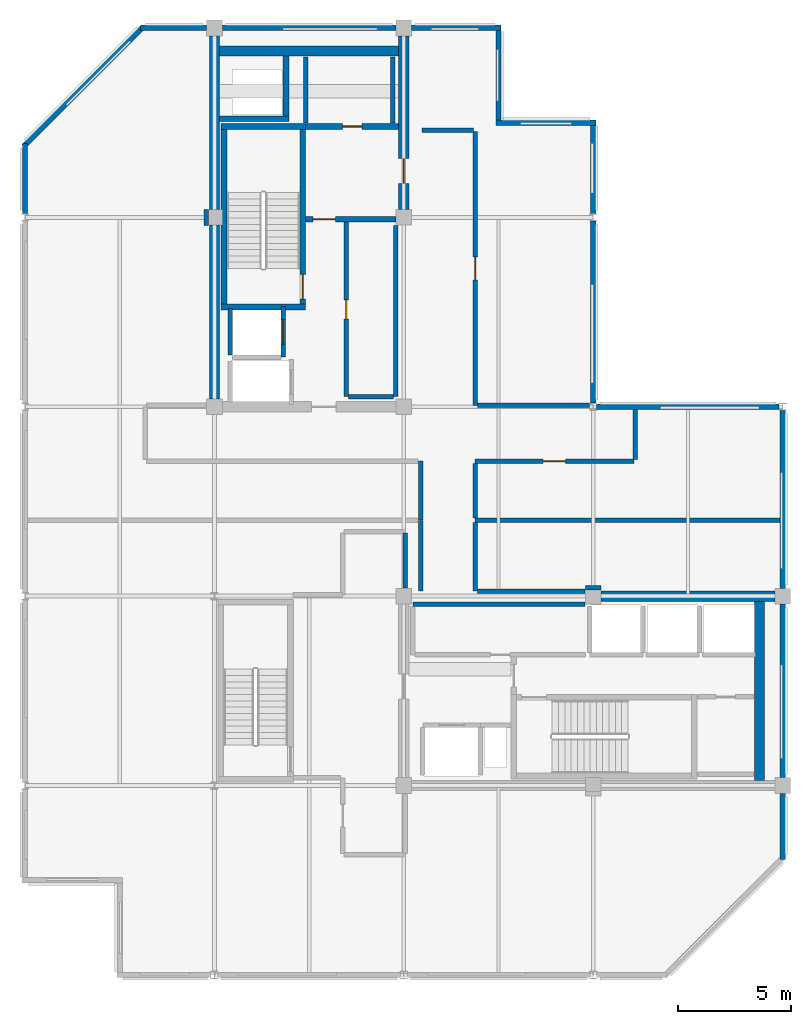
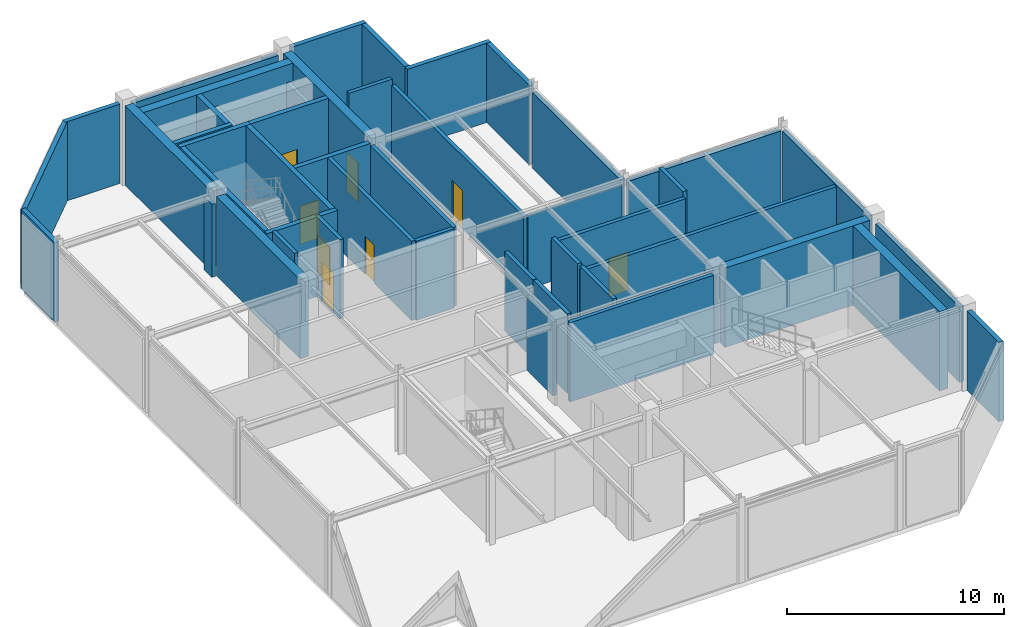
# One storey, part 5 of 9: 49 walls, 8 doors, 8 openings.
"""IFC4 building model written with IfcOpenShell, lengths in metres."""

from ifc_helpers import new_model, si_unit, direction, frame, frame_2d, origin, place, context, subcontext, project, spatial, rectangle, extrude, material, layer, layer_set, type_object, element, fill, save


model = new_model("IFC4")

# Units and contexts
model_context = context("Model", 3, precision=1e-05, world=origin(), true_north=direction((0.0, 1.0)))
body_context = subcontext(model_context, "Body", "Model", "MODEL_VIEW")
ifc_project = project(units=[si_unit("LENGTHUNIT", "METRE"), si_unit("AREAUNIT", "SQUARE_METRE"), si_unit("VOLUMEUNIT", "CUBIC_METRE"), si_unit("PLANEANGLEUNIT", "RADIAN"), si_unit("MASSUNIT", "GRAM", prefix="KILO")], contexts=[model_context])

# Site, building, storey
site_placement = place(None, origin())
site = spatial("IfcSite", under=ifc_project, at=site_placement, CompositionType="ELEMENT")
building_placement = place(site_placement, origin())
building = spatial("IfcBuilding", under=site, at=building_placement, Name="Nerrivon Quay Data Exchange", CompositionType="ELEMENT")
storey_placement = place(building_placement, frame((0.0, 0.0, 322.199951171875)))
storey = spatial("IfcBuildingStorey", under=building, at=storey_placement, Name="L77", CompositionType="ELEMENT", Elevation=322.199951171875)

# Walls
ifc_material_1 = material(Name="Architectural terracotta precast concrete N50 (50 MPa)", Category="masonry")
ifc_layer_1 = layer(ifc_material_1, 0.239990234375)
ifc_layer_set_1 = layer_set([ifc_layer_1], Name="Architectural terracotta precast concrete N50 (50 MPa)")
wall_type_1 = type_object("IfcWallType", Name="EW-PREC-240", PredefinedType="STANDARD", material=ifc_layer_set_1)
wall_1_placement = place(storey_placement, frame((0.0, 33.757568359375, 0.0), z_axis=(0.0, 0.0, 1.0), x_axis=(0.0, 1.0, 0.0)))
element("IfcWall", 1, at=wall_1_placement, inside=storey, type_object=wall_type_1, Name="L77 Plant Enclosure Wall 12", PredefinedType="STANDARD", context=body_context, shape_type="SweptSolid", body=[
    extrude(rectangle(XDim=3.1171875, YDim=0.239990234375, at=frame_2d((1.55859375, 0.0))), origin(), (0.0, 0.0, 1.0), 4.449951171875),
])
wall_2_placement = place(storey_placement, frame((-0.052734375, 36.747314453125, 0.0), z_axis=(0.0, 0.0, 1.0), x_axis=(0.707106781187, 0.707106781187, 0.0)))
element("IfcWall", 2, at=wall_2_placement, inside=storey, type_object=wall_type_1, Name="L77 Plant Enclosure Wall 13", PredefinedType="STANDARD", context=body_context, shape_type="SweptSolid", body=[
    extrude(rectangle(XDim=7.5029296875, YDim=0.239990234375, at=frame_2d((3.75146484375, 0.0))), origin(), (0.0, 0.0, 1.0), 4.449951171875),
])
wall_3_placement = place(storey_placement, frame((5.125244140625, 42.0, 0.0), z_axis=(0.0, 0.0, 1.0), x_axis=(1.0, 0.0, 0.0)))
element("IfcWall", 3, at=wall_3_placement, inside=storey, type_object=wall_type_1, Name="L77 Plant Enclosure Wall 14", PredefinedType="STANDARD", context=body_context, shape_type="SweptSolid", body=[
    extrude(rectangle(XDim=2.9248046875, YDim=0.239990234375, at=frame_2d((1.46240234375, 0.0))), origin(), (0.0, 0.0, 1.0), 4.449951171875),
])
wall_4_placement = place(storey_placement, frame((8.75, 42.0, 0.0), z_axis=(0.0, 0.0, 1.0), x_axis=(1.0, 0.0, 0.0)))
element("IfcWall", 4, at=wall_4_placement, inside=storey, type_object=wall_type_1, Name="L77 Plant Enclosure Wall 15", PredefinedType="STANDARD", context=body_context, shape_type="SweptSolid", body=[
    extrude(rectangle(XDim=7.699951171875, YDim=0.239990234375, at=frame_2d((3.85009765625, 0.0))), origin(), (0.0, 0.0, 1.0), 4.2431640625),
])
wall_5_placement = place(storey_placement, frame((17.14990234375, 42.0, 0.0), z_axis=(0.0, 0.0, 1.0), x_axis=(1.0, 0.0, 0.0)))
element("IfcWall", 5, at=wall_5_placement, inside=storey, type_object=wall_type_1, Name="L77 Plant Enclosure Wall 16", PredefinedType="STANDARD", context=body_context, shape_type="SweptSolid", body=[
    extrude(rectangle(XDim=3.97021484375, YDim=0.239990234375, at=frame_2d((1.985107421875, 0.0))), origin(), (0.0, 0.0, 1.0), 4.449951171875),
])
wall_6_placement = place(storey_placement, frame((21.0, 41.8798828125, 0.0), z_axis=(0.0, 0.0, 1.0), x_axis=(0.0, -1.0, 0.0)))
element("IfcWall", 6, at=wall_6_placement, inside=storey, type_object=wall_type_1, Name="L77 Plant Enclosure Wall 17", PredefinedType="STANDARD", context=body_context, shape_type="SweptSolid", body=[
    extrude(rectangle(XDim=3.9599609375, YDim=0.239990234375, at=frame_2d((1.97998046875, 0.0))), origin(), (0.0, 0.0, 1.0), 4.449951171875),
])
wall_7_placement = place(storey_placement, frame((20.8798828125, 37.800048828125, 0.0), z_axis=(0.0, 0.0, 1.0), x_axis=(1.0, 0.0, 0.0)))
element("IfcWall", 7, at=wall_7_placement, inside=storey, type_object=wall_type_1, Name="L77 Plant Enclosure Wall 18", PredefinedType="STANDARD", context=body_context, shape_type="SweptSolid", body=[
    extrude(rectangle(XDim=4.440185546875, YDim=0.239990234375, at=frame_2d((2.22021484375, 0.0))), origin(), (0.0, 0.0, 1.0), 4.449951171875),
])
wall_8_placement = place(storey_placement, frame((25.199951171875, 37.679931640625, 0.0), z_axis=(0.0, 0.0, 1.0), x_axis=(0.0, -1.0, 0.0)))
element("IfcWall", 8, at=wall_8_placement, inside=storey, type_object=wall_type_1, Name="L77 Plant Enclosure Wall 19", PredefinedType="STANDARD", context=body_context, shape_type="SweptSolid", body=[
    extrude(rectangle(XDim=3.92236328125, YDim=0.239990234375, at=frame_2d((1.961181640625, 0.0))), origin(), (0.0, 0.0, 1.0), 4.449951171875),
])
wall_9_placement = place(storey_placement, frame((25.199951171875, 33.4423828125, 0.0), z_axis=(0.0, 0.0, 1.0), x_axis=(0.0, -1.0, 0.0)))
element("IfcWall", 9, at=wall_9_placement, inside=storey, type_object=wall_type_1, Name="L77 Plant Enclosure Wall 20", PredefinedType="STANDARD", context=body_context, shape_type="SweptSolid", body=[
    extrude(rectangle(XDim=8.0849609375, YDim=0.239990234375, at=frame_2d((4.04248046875, 0.0))), origin(), (0.0, 0.0, 1.0), 4.2431640625),
])
wall_10_placement = place(storey_placement, frame((25.353515625, 25.199951171875, 0.0), z_axis=(0.0, 0.0, 1.0), x_axis=(1.0, 0.0, 0.0)))
element("IfcWall", 10, at=wall_10_placement, inside=storey, type_object=wall_type_1, Name="L77 Plant Enclosure Wall 21", PredefinedType="STANDARD", context=body_context, shape_type="SweptSolid", body=[
    extrude(rectangle(XDim=8.093017578125, YDim=0.239990234375, at=frame_2d((4.04638671875, 0.0))), origin(), (0.0, 0.0, 1.0), 4.2431640625),
])
wall_11_placement = place(storey_placement, frame((33.60009765625, 25.04248046875, 0.0), z_axis=(0.0, 0.0, 1.0), x_axis=(0.0, -1.0, 0.0)))
element("IfcWall", 11, at=wall_11_placement, inside=storey, type_object=wall_type_1, Name="L77 Plant Enclosure Wall 22", PredefinedType="STANDARD", context=body_context, shape_type="SweptSolid", body=[
    extrude(rectangle(XDim=7.892578125, YDim=0.239990234375, at=frame_2d((3.9462890625, 0.0))), origin(), (0.0, 0.0, 1.0), 4.2431640625),
])
wall_12_placement = place(storey_placement, frame((33.60009765625, 16.449951171875, 0.0), z_axis=(0.0, 0.0, 1.0), x_axis=(0.0, -1.0, 0.0)))
element("IfcWall", 12, at=wall_12_placement, inside=storey, type_object=wall_type_1, Name="L77 Plant Enclosure Wall 23", PredefinedType="STANDARD", context=body_context, shape_type="SweptSolid", body=[
    extrude(rectangle(XDim=7.699951171875, YDim=0.239990234375, at=frame_2d((3.85009765625, 0.0))), origin(), (0.0, 0.0, 1.0), 4.2431640625),
])
wall_13_placement = place(storey_placement, frame((33.60009765625, 8.050048828125, 0.0), z_axis=(0.0, 0.0, 1.0), x_axis=(0.0, -1.0, 0.0)))
element("IfcWall", 13, at=wall_13_placement, inside=storey, type_object=wall_type_1, Name="L77 Plant Enclosure Wall 24", PredefinedType="STANDARD", context=body_context, shape_type="SweptSolid", body=[
    extrude(rectangle(XDim=2.9248046875, YDim=0.239990234375, at=frame_2d((1.46240234375, 0.0))), origin(), (0.0, 0.0, 1.0), 4.449951171875),
])
ifc_material_2 = material(Name="Concrete N50 (50 MPa)", Category="concrete")
ifc_layer_2 = layer(ifc_material_2, 0.449951171875)
ifc_layer_set_2 = layer_set([ifc_layer_2], Name="Concrete N50 (50 MPa)")
wall_type_2 = type_object("IfcWallType", Name="WALL-CW-550", PredefinedType="SHEAR", material=ifc_layer_set_2)
for number, where, z_axis, x_axis, name in (
    (14, (8.39990234375, 25.550048828125, 0.0), (0.0, 0.0, 1.0), (0.0, 1.0, 0.0), "L77 West Split-Core Shear Wall WCW-W1"),
    (15, (8.39990234375, 33.949951171875, 0.0), (0.0, 0.0, 1.0), (0.0, 1.0, 0.0), "L77 West Split-Core Shear Wall WCW-W2"),
):
    element("IfcWall", number, at=place(storey_placement, frame(where, z_axis=z_axis, x_axis=x_axis)), inside=storey, type_object=wall_type_2, Name=name, PredefinedType="SHEAR", context=body_context, shape_type="SweptSolid", body=[
        extrude(rectangle(XDim=7.699951171875, YDim=0.449951171875, at=frame_2d((3.85009765625, 0.0))), origin(), (0.0, 0.0, 1.0), 4.449951171875),
    ])
wall_14_placement = place(storey_placement, frame((8.625, 40.97509765625, 0.0), z_axis=(0.0, 0.0, 1.0), x_axis=(1.0, 0.0, 0.0)))
element("IfcWall", 16, at=wall_14_placement, inside=storey, type_object=wall_type_2, Name="L77 West Split-Core Shear Wall WCW-N1", PredefinedType="SHEAR", context=body_context, shape_type="SweptSolid", body=[
    extrude(rectangle(XDim=7.949951171875, YDim=0.449951171875, at=frame_2d((3.97509765625, 0.0))), origin(), (0.0, 0.0, 1.0), 4.449951171875),
])

# Wall, opening, door
wall_15_placement = place(storey_placement, frame((16.800048828125, 33.949951171875, 0.0), z_axis=(0.0, 0.0, 1.0), x_axis=(0.0, 1.0, 0.0)))
wall_15 = element("IfcWall", 17, at=wall_15_placement, inside=storey, type_object=wall_type_2, Name="L77 West Split-Core Shear Wall WCW-E1", PredefinedType="SHEAR", context=body_context, shape_type="SweptSolid", body=[
    extrude(rectangle(XDim=7.699951171875, YDim=0.449951171875, at=frame_2d((3.85009765625, 0.0))), origin(), (0.0, 0.0, 1.0), 4.449951171875),
])
opening_1_placement = place(wall_15_placement, frame((1.14990234375, 0.0, 0.0)))
opening_1 = element("IfcOpeningElement", 18, at=opening_1_placement, cuts=wall_15, Name="Opening FD-120", PredefinedType="OPENING", context=body_context, shape_type="SweptSolid", body=[
    extrude(rectangle(XDim=1.10009765625, YDim=2.14990234375, at=frame_2d((0.550048828125, 1.074951171875))), frame((0.0, 0.23486328125, 0.0), z_axis=(0.0, -1.0, 0.0), x_axis=(1.0, 0.0, 0.0)), (0.0, 0.0, 1.0), 0.469970703125),
])
ifc_material_3 = material(Name="Powder-coated galvanized steel sheet", Category="steel")
door_type_1 = type_object("IfcDoorType", Name="DR-FD120-1100", OperationType="NOTDEFINED", PredefinedType="DOOR", material=ifc_material_3)
door_1_placement = place(opening_1_placement, origin())
door_1 = element("IfcDoor", 19, at=door_1_placement, inside=storey, type_object=door_type_1, Name="L77 West Core Lobby Fire Door", OperationType="SINGLE_SWING_RIGHT", OverallHeight=2.14990234375, OverallWidth=1.10009765625, PredefinedType="DOOR", context=body_context, shape_type="SweptSolid", body=[
    extrude(rectangle(XDim=1.10009765625, YDim=2.14990234375, at=frame_2d((0.550048828125, 1.074951171875))), frame((0.0, 0.02490234375, 0.0), z_axis=(0.0, -1.0, 0.0), x_axis=(1.0, 0.0, 0.0)), (0.0, 0.0, 1.0), 0.050048828125),
])
fill(opening_1, door_1)

# Walls
wall_16_placement = place(storey_placement, frame((32.574951171875, 8.625, 0.0), z_axis=(0.0, 0.0, 1.0), x_axis=(0.0, 1.0, 0.0)))
element("IfcWall", 20, at=wall_16_placement, inside=storey, type_object=wall_type_2, Name="L77 East Split-Core Shear Wall ECW-E1", PredefinedType="SHEAR", context=body_context, shape_type="SweptSolid", body=[
    extrude(rectangle(XDim=7.949951171875, YDim=0.449951171875, at=frame_2d((3.97509765625, 0.0))), origin(), (0.0, 0.0, 1.0), 4.449951171875),
])
wall_17_placement = place(storey_placement, frame((25.550048828125, 16.800048828125, 0.0), z_axis=(0.0, 0.0, 1.0), x_axis=(1.0, 0.0, 0.0)))
element("IfcWall", 21, at=wall_17_placement, inside=storey, type_object=wall_type_2, Name="L77 East Split-Core Shear Wall ECW-N1", PredefinedType="SHEAR", context=body_context, shape_type="SweptSolid", body=[
    extrude(rectangle(XDim=7.699951171875, YDim=0.449951171875, at=frame_2d((3.85009765625, 0.0))), origin(), (0.0, 0.0, 1.0), 4.449951171875),
])

# Wall, opening, door
ifc_material_4 = material(Name="Gypsum plasterboard on cold-formed framing", Category="gypsum")
ifc_layer_3 = layer(ifc_material_4, 0.199951171875)
ifc_layer_set_3 = layer_set([ifc_layer_3], Name="Gypsum plasterboard on cold-formed framing")
wall_type_3 = type_object("IfcWallType", Name="WALL-FW-200", PredefinedType="PARTITIONING", material=ifc_layer_set_3)
wall_18_placement = place(storey_placement, frame((11.449951171875, 27.39990234375, 0.0), z_axis=(0.0, 0.0, 1.0), x_axis=(0.0, 1.0, 0.0)))
wall_18 = element("IfcWall", 22, at=wall_18_placement, inside=storey, type_object=wall_type_3, Name="L77 Lift Front Wall FFL-1", PredefinedType="PARTITIONING", context=body_context, shape_type="SweptSolid", body=[
    extrude(rectangle(XDim=2.25, YDim=0.199951171875, at=frame_2d((1.125, 0.0))), origin(), (0.0, 0.0, 1.0), 4.449951171875),
])
opening_2_placement = place(wall_18_placement, frame((0.574951171875, 0.0, 0.0)))
opening_2 = element("IfcOpeningElement", 23, at=opening_2_placement, cuts=wall_18, Name="Opening LD-120", PredefinedType="OPENING", context=body_context, shape_type="SweptSolid", body=[
    extrude(rectangle(XDim=1.10009765625, YDim=2.199951171875, at=frame_2d((0.550048828125, 1.10009765625))), frame((0.0, 0.10986328125, 0.0), z_axis=(0.0, -1.0, 0.0), x_axis=(1.0, 0.0, 0.0)), (0.0, 0.0, 1.0), 0.219970703125),
])
door_type_2 = type_object("IfcDoorType", Name="DR-LIFT-LD120", OperationType="DOUBLE_DOOR_SLIDING", PredefinedType="DOOR", material=ifc_material_3)
door_2_placement = place(opening_2_placement, origin())
door_2 = element("IfcDoor", 24, at=door_2_placement, inside=storey, type_object=door_type_2, Name="L77 Lift Landing Sliding Door FFL-1", OperationType="DOUBLE_DOOR_SLIDING", OverallHeight=2.199951171875, OverallWidth=1.10009765625, PredefinedType="DOOR", context=body_context, shape_type="SweptSolid", body=[
    extrude(rectangle(XDim=1.10009765625, YDim=2.199951171875, at=frame_2d((0.550048828125, 1.10009765625))), frame((0.0, 0.02490234375, 0.0), z_axis=(0.0, -1.0, 0.0), x_axis=(1.0, 0.0, 0.0)), (0.0, 0.0, 1.0), 0.050048828125),
])
fill(opening_2, door_2)

# Walls
wall_19_placement = place(storey_placement, frame((9.10009765625, 27.5, 0.0), z_axis=(0.0, 0.0, 1.0), x_axis=(0.0, 1.0, 0.0)))
element("IfcWall", 25, at=wall_19_placement, inside=storey, type_object=wall_type_3, Name="L77 Lift Shaft Wall FFL-1 WEST", PredefinedType="PARTITIONING", context=body_context, shape_type="SweptSolid", body=[
    extrude(rectangle(XDim=2.050048828125, YDim=0.199951171875, at=frame_2d((1.02490234375, 0.0))), origin(), (0.0, 0.0, 1.0), 4.449951171875),
])
wall_20_placement = place(storey_placement, frame((16.449951171875, 25.64990234375, 0.0), z_axis=(0.0, 0.0, 1.0), x_axis=(0.0, 1.0, 0.0)))
element("IfcWall", 26, at=wall_20_placement, inside=storey, type_object=wall_type_3, Name="L77 Partition Telemetry Hub Closet", PredefinedType="PARTITIONING", context=body_context, shape_type="SweptSolid", body=[
    extrude(rectangle(XDim=7.59521484375, YDim=0.199951171875, at=frame_2d((3.797607421875, 0.0))), origin(), (0.0, 0.0, 1.0), 4.449951171875),
])

# Wall, opening, door
wall_21_placement = place(storey_placement, frame((14.25, 33.389892578125, 0.0), z_axis=(0.0, 0.0, 1.0), x_axis=(0.0, -1.0, 0.0)))
wall_21 = element("IfcWall", 27, at=wall_21_placement, inside=storey, type_object=wall_type_3, Name="L77 Partition Telemetry Hub Closet", PredefinedType="PARTITIONING", context=body_context, shape_type="SweptSolid", body=[
    extrude(rectangle(XDim=7.739990234375, YDim=0.199951171875, at=frame_2d((3.8701171875, 0.0))), origin(), (0.0, 0.0, 1.0), 4.449951171875),
])
opening_3_placement = place(wall_21_placement, frame((3.445068359375, 0.0, 0.0)))
opening_3 = element("IfcOpeningElement", 28, at=opening_3_placement, cuts=wall_21, Name="Opening FD-60S", PredefinedType="OPENING", context=body_context, shape_type="SweptSolid", body=[
    extrude(rectangle(XDim=0.85009765625, YDim=2.14990234375, at=frame_2d((0.425048828125, 1.074951171875))), frame((0.0, 0.10986328125, 0.0), z_axis=(0.0, -1.0, 0.0), x_axis=(1.0, 0.0, 0.0)), (0.0, 0.0, 1.0), 0.219970703125),
])
ifc_material_5 = material(Name="Engineered hardwood timber", Category="wood")
door_type_3 = type_object("IfcDoorType", Name="DR-FD60-850", OperationType="NOTDEFINED", PredefinedType="DOOR", material=ifc_material_5)
door_3_placement = place(opening_3_placement, origin())
door_3 = element("IfcDoor", 29, at=door_3_placement, inside=storey, type_object=door_type_3, Name="L77 Door Telemetry Hub Closet", OperationType="SINGLE_SWING_RIGHT", OverallHeight=2.14990234375, OverallWidth=0.85009765625, PredefinedType="DOOR", context=body_context, shape_type="SweptSolid", body=[
    extrude(rectangle(XDim=0.85009765625, YDim=2.14990234375, at=frame_2d((0.425048828125, 1.074951171875))), frame((0.0, 0.02490234375, 0.0), z_axis=(0.0, -1.0, 0.0), x_axis=(1.0, 0.0, 0.0)), (0.0, 0.0, 1.0), 0.050048828125),
])
fill(opening_3, door_3)

# Walls
wall_22_placement = place(storey_placement, frame((14.35400390625, 25.64990234375, 0.0), z_axis=(0.0, 0.0, 1.0), x_axis=(1.0, 0.0, 0.0)))
element("IfcWall", 30, at=wall_22_placement, inside=storey, type_object=wall_type_3, Name="L77 Partition Telemetry Hub Closet", PredefinedType="PARTITIONING", context=body_context, shape_type="SweptSolid", body=[
    extrude(rectangle(XDim=1.991943359375, YDim=0.199951171875, at=frame_2d((0.99609375, 0.0))), origin(), (0.0, 0.0, 1.0), 4.449951171875),
])
for number, where, z_axis, x_axis, name in (
    (31, (16.300048828125, 37.780029296875, 0.0), (0.0, 0.0, 1.0), (0.0, 1.0, 0.0), "L77 Partition Electrical Switchboard Closet"),
    (32, (12.449951171875, 40.699951171875, 0.0), (0.0, 0.0, 1.0), (0.0, -1.0, 0.0), "L77 Partition Electrical Switchboard Closet"),
):
    element("IfcWall", number, at=place(storey_placement, frame(where, z_axis=z_axis, x_axis=x_axis)), inside=storey, type_object=wall_type_3, Name=name, PredefinedType="PARTITIONING", context=body_context, shape_type="SweptSolid", body=[
        extrude(rectangle(XDim=2.919921875, YDim=0.199951171875, at=frame_2d((1.4599609375, 0.0))), origin(), (0.0, 0.0, 1.0), 3.5),
    ])
wall_23_placement = place(storey_placement, frame((24.844970703125, 16.449951171875, 0.0), z_axis=(0.0, 0.0, 1.0), x_axis=(-1.0, 0.0, 0.0)))
element("IfcWall", 33, at=wall_23_placement, inside=storey, type_object=wall_type_3, Name="L77 Partition High-Zone Telemetry Equipment Store", PredefinedType="PARTITIONING", context=body_context, shape_type="SweptSolid", body=[
    extrude(rectangle(XDim=7.64501953125, YDim=0.199951171875, at=frame_2d((3.822509765625, 0.0))), origin(), (0.0, 0.0, 1.0), 4.449951171875),
])
wall_24_placement = place(storey_placement, frame((33.47607421875, 20.1640625, 0.0), z_axis=(0.0, 0.0, 1.0), x_axis=(-1.0, 0.0, 0.0)))
element("IfcWall", 34, at=wall_24_placement, inside=storey, type_object=wall_type_3, Name="L77 Partition Chiller Plant Room", PredefinedType="PARTITIONING", context=body_context, shape_type="SweptSolid", body=[
    extrude(rectangle(XDim=13.51611328125, YDim=0.199951171875, at=frame_2d((6.758056640625, 0.0))), origin(), (0.0, 0.0, 1.0), 4.14306640625),
])
wall_25_placement = place(storey_placement, frame((19.9599609375, 20.06005859375, 0.0), z_axis=(0.0, 0.0, 1.0), x_axis=(0.0, -1.0, 0.0)))
element("IfcWall", 35, at=wall_25_placement, inside=storey, type_object=wall_type_3, Name="L77 Partition Chiller Plant Room", PredefinedType="PARTITIONING", context=body_context, shape_type="SweptSolid", body=[
    extrude(rectangle(XDim=3.03515625, YDim=0.199951171875, at=frame_2d((1.517578125, 0.0))), origin(), (0.0, 0.0, 1.0), 4.449951171875),
])
wall_26_placement = place(storey_placement, frame((20.06396484375, 17.02490234375, 0.0), z_axis=(0.0, 0.0, 1.0), x_axis=(1.0, 0.0, 0.0)))
element("IfcWall", 36, at=wall_26_placement, inside=storey, type_object=wall_type_3, Name="L77 Partition Chiller Plant Room", PredefinedType="PARTITIONING", context=body_context, shape_type="SweptSolid", body=[
    extrude(rectangle(XDim=4.76611328125, YDim=0.199951171875, at=frame_2d((2.383056640625, 0.0))), origin(), (0.0, 0.0, 1.0), 4.091064453125),
])
wall_27_placement = place(storey_placement, frame((24.84619140625, 17.169677734375, 0.0), z_axis=(0.0, 0.0, 1.0), x_axis=(0.999999939844, 0.000346860888, 0.0)))
element("IfcWall", 37, at=wall_27_placement, inside=storey, type_object=wall_type_3, Name="L77 Partition Chiller Plant Room", PredefinedType="PARTITIONING", context=body_context, shape_type="SweptSolid", body=[
    extrude(rectangle(XDim=0.703857421875, YDim=0.199951171875, at=frame_2d((0.35205078125, 0.0))), origin(), (0.0, 0.0, 1.0), 4.14306640625),
])
wall_28_placement = place(storey_placement, frame((16.860107421875, 19.60009765625, 0.0), z_axis=(0.0, 0.0, 1.0), x_axis=(0.0, -1.0, 0.0)))
element("IfcWall", 38, at=wall_28_placement, inside=storey, type_object=wall_type_3, Name="L77 Partition Chiller Plant Room", PredefinedType="PARTITIONING", context=body_context, shape_type="SweptSolid", body=[
    extrude(rectangle(XDim=2.43017578125, YDim=0.199951171875, at=frame_2d((1.215087890625, 0.0))), origin(), (0.0, 0.0, 1.0), 4.14306640625),
])
wall_29_placement = place(storey_placement, frame((17.5400390625, 17.02490234375, 0.0), z_axis=(0.0, 0.0, 1.0), x_axis=(0.0, 1.0, 0.0)))
element("IfcWall", 39, at=wall_29_placement, inside=storey, type_object=wall_type_3, Name="L77 Partition Chiller Plant Room", PredefinedType="PARTITIONING", context=body_context, shape_type="SweptSolid", body=[
    extrude(rectangle(XDim=3.13916015625, YDim=0.199951171875, at=frame_2d((1.569580078125, 0.0))), origin(), (0.0, 0.0, 1.0), 4.449951171875),
])
wall_30_placement = place(storey_placement, frame((17.5400390625, 20.18408203125, 0.0), z_axis=(0.0, 0.0, 1.0), x_axis=(0.0, 1.0, 0.0)))
element("IfcWall", 40, at=wall_30_placement, inside=storey, type_object=wall_type_3, Name="L77 Partition High-Zone AHU Mechanical Room", PredefinedType="PARTITIONING", context=body_context, shape_type="SweptSolid", body=[
    extrude(rectangle(XDim=2.60595703125, YDim=0.199951171875, at=frame_2d((1.302978515625, 0.0))), origin(), (0.0, 0.0, 1.0), 4.449951171875),
])
wall_31_placement = place(storey_placement, frame((8.030517578125, 33.24609375, 0.0), z_axis=(0.0, 0.0, 1.0), x_axis=(-0.000693721651, 0.999999759375, 0.0)))
element("IfcWall", 41, at=wall_31_placement, inside=storey, type_object=wall_type_3, Name="L77 Partition High-Zone AHU Mechanical Room", PredefinedType="PARTITIONING", context=body_context, shape_type="SweptSolid", body=[
    extrude(rectangle(XDim=0.703857421875, YDim=0.199951171875, at=frame_2d((0.35205078125, 0.0))), origin(), (0.0, 0.0, 1.0), 4.091064453125),
])
wall_32_placement = place(storey_placement, frame((17.60009765625, 37.4599609375, 0.0), z_axis=(0.0, 0.0, 1.0), x_axis=(1.0, 0.0, 0.0)))
element("IfcWall", 42, at=wall_32_placement, inside=storey, type_object=wall_type_3, Name="L77 Partition High-Zone AHU Mechanical Room", PredefinedType="PARTITIONING", context=body_context, shape_type="SweptSolid", body=[
    extrude(rectangle(XDim=2.2998046875, YDim=0.199951171875, at=frame_2d((1.14990234375, 0.0))), origin(), (0.0, 0.0, 1.0), 4.449951171875),
])

# Wall, opening, door
wall_33_placement = place(storey_placement, frame((19.9599609375, 37.39990234375, 0.0), z_axis=(0.0, 0.0, 1.0), x_axis=(0.0, -1.0, 0.0)))
wall_33 = element("IfcWall", 43, at=wall_33_placement, inside=storey, type_object=wall_type_3, Name="L77 Partition High-Zone AHU Mechanical Room", PredefinedType="PARTITIONING", context=body_context, shape_type="SweptSolid", body=[
    extrude(rectangle(XDim=12.139892578125, YDim=0.199951171875, at=frame_2d((6.06982421875, 0.0))), origin(), (0.0, 0.0, 1.0), 4.091064453125),
])
opening_4_placement = place(wall_33_placement, frame((5.570068359375, 0.0, 0.0)))
opening_4 = element("IfcOpeningElement", 44, at=opening_4_placement, cuts=wall_33, Name="Opening FD-60", PredefinedType="OPENING", context=body_context, shape_type="SweptSolid", body=[
    extrude(rectangle(XDim=1.0, YDim=2.14990234375, at=frame_2d((0.5, 1.074951171875))), frame((0.0, 0.10986328125, 0.0), z_axis=(0.0, -1.0, 0.0), x_axis=(1.0, 0.0, 0.0)), (0.0, 0.0, 1.0), 0.219970703125),
])
door_type_4 = type_object("IfcDoorType", Name="DR-FD60-1000", OperationType="NOTDEFINED", PredefinedType="DOOR", material=ifc_material_5)
door_4_placement = place(opening_4_placement, origin())
door_4 = element("IfcDoor", 45, at=door_4_placement, inside=storey, type_object=door_type_4, Name="L77 Door High-Zone AHU Mechanical Room", OperationType="SINGLE_SWING_LEFT", OverallHeight=2.14990234375, OverallWidth=1.0, PredefinedType="DOOR", context=body_context, shape_type="SweptSolid", body=[
    extrude(rectangle(XDim=1.0, YDim=2.14990234375, at=frame_2d((0.5, 1.074951171875))), frame((0.0, 0.02490234375, 0.0), z_axis=(0.0, -1.0, 0.0), x_axis=(1.0, 0.0, 0.0)), (0.0, 0.0, 1.0), 0.050048828125),
])
fill(opening_4, door_4)

# Wall
wall_34_placement = place(storey_placement, frame((20.06396484375, 25.260009765625, 0.0), z_axis=(0.0, 0.0, 1.0), x_axis=(1.0, 0.0, 0.0)))
element("IfcWall", 46, at=wall_34_placement, inside=storey, type_object=wall_type_3, Name="L77 Partition High-Zone AHU Mechanical Room", PredefinedType="PARTITIONING", context=body_context, shape_type="SweptSolid", body=[
    extrude(rectangle(XDim=4.9775390625, YDim=0.199951171875, at=frame_2d((2.48876953125, 0.0))), origin(), (0.0, 0.0, 1.0), 4.091064453125),
])

# Wall, opening, door
wall_35_placement = place(storey_placement, frame((27.0, 22.7900390625, 0.0), z_axis=(0.0, 0.0, 1.0), x_axis=(-1.0, 0.0, 0.0)))
wall_35 = element("IfcWall", 47, at=wall_35_placement, inside=storey, type_object=wall_type_3, Name="L77 Partition Heat Rejection Water Pump Room", PredefinedType="PARTITIONING", context=body_context, shape_type="SweptSolid", body=[
    extrude(rectangle(XDim=7.0400390625, YDim=0.199951171875, at=frame_2d((3.52001953125, 0.0))), origin(), (0.0, 0.0, 1.0), 4.14306640625),
])
opening_5_placement = place(wall_35_placement, frame((3.02001953125, 0.0, 0.0)))
opening_5 = element("IfcOpeningElement", 48, at=opening_5_placement, cuts=wall_35, Name="Opening FD-60", PredefinedType="OPENING", context=body_context, shape_type="SweptSolid", body=[
    extrude(rectangle(XDim=1.0, YDim=2.14990234375, at=frame_2d((0.5, 1.074951171875))), frame((0.0, 0.10986328125, 0.0), z_axis=(0.0, -1.0, 0.0), x_axis=(1.0, 0.0, 0.0)), (0.0, 0.0, 1.0), 0.219970703125),
])
door_5_placement = place(opening_5_placement, origin())
door_5 = element("IfcDoor", 49, at=door_5_placement, inside=storey, type_object=door_type_4, Name="L77 Door Heat Rejection Water Pump Room", OperationType="SINGLE_SWING_RIGHT", OverallHeight=2.14990234375, OverallWidth=1.0, PredefinedType="DOOR", context=body_context, shape_type="SweptSolid", body=[
    extrude(rectangle(XDim=1.0, YDim=2.14990234375, at=frame_2d((0.5, 1.074951171875))), frame((0.0, 0.02490234375, 0.0), z_axis=(0.0, -1.0, 0.0), x_axis=(1.0, 0.0, 0.0)), (0.0, 0.0, 1.0), 0.050048828125),
])
fill(opening_5, door_5)

# Walls
wall_36_placement = place(storey_placement, frame((19.9599609375, 22.68603515625, 0.0), z_axis=(0.0, 0.0, 1.0), x_axis=(0.0, -1.0, 0.0)))
element("IfcWall", 50, at=wall_36_placement, inside=storey, type_object=wall_type_3, Name="L77 Partition Heat Rejection Water Pump Room", PredefinedType="PARTITIONING", context=body_context, shape_type="SweptSolid", body=[
    extrude(rectangle(XDim=2.41796875, YDim=0.199951171875, at=frame_2d((1.208984375, 0.0))), origin(), (0.0, 0.0, 1.0), 4.449951171875),
])
wall_37_placement = place(storey_placement, frame((27.06005859375, 25.075927734375, 0.0), z_axis=(0.0, 0.0, 1.0), x_axis=(0.0, -1.0, 0.0)))
element("IfcWall", 51, at=wall_37_placement, inside=storey, type_object=wall_type_3, Name="L77 Partition Heat Rejection Water Pump Room", PredefinedType="PARTITIONING", context=body_context, shape_type="SweptSolid", body=[
    extrude(rectangle(XDim=2.225830078125, YDim=0.199951171875, at=frame_2d((1.11279296875, 0.0))), origin(), (0.0, 0.0, 1.0), 4.449951171875),
])
ifc_layer_4 = layer(ifc_material_2, 0.25)
ifc_layer_set_4 = layer_set([ifc_layer_4], Name="Concrete N50 (50 MPa)")
wall_type_4 = type_object("IfcWallType", Name="WALL-SW-250", PredefinedType="SHEAR", material=ifc_layer_set_4)
for number, where, z_axis, x_axis, name in (
    (52, (12.449951171875, 29.625, 0.0), (0.0, 0.0, 1.0), (-1.0, 0.0, 0.0), "L77 ST01 Structural Stair Core Wall NEAR"),
    (53, (12.449951171875, 37.625, 0.0), (0.0, 0.0, 1.0), (-1.0, 0.0, 0.0), "L77 ST01 Structural Stair Core Wall FAR"),
):
    element("IfcWall", number, at=place(storey_placement, frame(where, z_axis=z_axis, x_axis=x_axis)), inside=storey, type_object=wall_type_4, Name=name, PredefinedType="SHEAR", context=body_context, shape_type="SweptSolid", body=[
        extrude(rectangle(XDim=3.75, YDim=0.25, at=frame_2d((1.875, 0.0))), origin(), (0.0, 0.0, 1.0), 4.449951171875),
    ])

# Wall, opening, door
wall_38_placement = place(storey_placement, frame((12.324951171875, 29.75, 0.0), z_axis=(0.0, 0.0, 1.0), x_axis=(0.0, 1.0, 0.0)))
wall_38 = element("IfcWall", 54, at=wall_38_placement, inside=storey, type_object=wall_type_4, Name="L77 ST01 Structural Stair Core Wall LEFT", PredefinedType="SHEAR", context=body_context, shape_type="SweptSolid", body=[
    extrude(rectangle(XDim=7.75, YDim=0.25, at=frame_2d((3.875, 0.0))), origin(), (0.0, 0.0, 1.0), 4.449951171875),
])
opening_6_placement = place(wall_38_placement, frame((0.219970703125, 0.0, 0.0)))
opening_6 = element("IfcOpeningElement", 55, at=opening_6_placement, cuts=wall_38, Name="Opening FD-120", PredefinedType="OPENING", context=body_context, shape_type="SweptSolid", body=[
    extrude(rectangle(XDim=1.10009765625, YDim=2.14990234375, at=frame_2d((0.550048828125, 1.074951171875))), frame((0.0, 0.135009765625, 0.0), z_axis=(0.0, -1.0, 0.0), x_axis=(1.0, 0.0, 0.0)), (0.0, 0.0, 1.0), 0.27001953125),
])
door_6_placement = place(opening_6_placement, origin())
door_6 = element("IfcDoor", 56, at=door_6_placement, inside=storey, type_object=door_type_1, Name="L77 Protected Stair Door ST01", OperationType="SINGLE_SWING_LEFT", OverallHeight=2.14990234375, OverallWidth=1.10009765625, PredefinedType="DOOR", context=body_context, shape_type="SweptSolid", body=[
    extrude(rectangle(XDim=1.10009765625, YDim=2.14990234375, at=frame_2d((0.550048828125, 1.074951171875))), frame((0.0, 0.02490234375, 0.0), z_axis=(0.0, -1.0, 0.0), x_axis=(1.0, 0.0, 0.0)), (0.0, 0.0, 1.0), 0.050048828125),
])
fill(opening_6, door_6)

# Walls
wall_39_placement = place(storey_placement, frame((8.824951171875, 29.75, 0.0), z_axis=(0.0, 0.0, 1.0), x_axis=(0.0, 1.0, 0.0)))
element("IfcWall", 57, at=wall_39_placement, inside=storey, type_object=wall_type_4, Name="L77 ST01 Structural Stair Core Wall RIGHT", PredefinedType="SHEAR", context=body_context, shape_type="SweptSolid", body=[
    extrude(rectangle(XDim=7.75, YDim=0.25, at=frame_2d((3.875, 0.0))), origin(), (0.0, 0.0, 1.0), 4.449951171875),
])
wall_40_placement = place(storey_placement, frame((8.625, 37.97509765625, 0.0), z_axis=(0.0, 0.0, 1.0), x_axis=(1.0, 0.0, 0.0)))
element("IfcWall", 58, at=wall_40_placement, inside=storey, type_object=wall_type_4, Name="L77 West Core MEP Riser Shaft Wall S", PredefinedType="SHEAR", context=body_context, shape_type="SweptSolid", body=[
    extrude(rectangle(XDim=3.074951171875, YDim=0.25, at=frame_2d((1.53759765625, 0.0))), origin(), (0.0, 0.0, 1.0), 4.449951171875),
])
wall_41_placement = place(storey_placement, frame((11.574951171875, 38.10009765625, 0.0), z_axis=(0.0, 0.0, 1.0), x_axis=(0.0, 1.0, 0.0)))
element("IfcWall", 59, at=wall_41_placement, inside=storey, type_object=wall_type_4, Name="L77 West Core MEP Riser Shaft Wall E", PredefinedType="SHEAR", context=body_context, shape_type="SweptSolid", body=[
    extrude(rectangle(XDim=2.64990234375, YDim=0.25, at=frame_2d((1.324951171875, 0.0))), origin(), (0.0, 0.0, 1.0), 4.449951171875),
])

# Wall, opening, door
wall_42_placement = place(storey_placement, frame((12.449951171875, 33.52001953125, 0.0), z_axis=(0.0, 0.0, 1.0), x_axis=(1.0, 0.0, 0.0)))
wall_42 = element("IfcWall", 60, at=wall_42_placement, inside=storey, type_object=wall_type_4, Name="L77 West Lobby Smoke-Stop Wall", PredefinedType="SHEAR", context=body_context, shape_type="SweptSolid", body=[
    extrude(rectangle(XDim=4.0, YDim=0.25, at=frame_2d((2.0, 0.0))), origin(), (0.0, 0.0, 1.0), 4.449951171875),
])
opening_7_placement = place(wall_42_placement, frame((0.320068359375, 0.0, 0.0)))
opening_7 = element("IfcOpeningElement", 61, at=opening_7_placement, cuts=wall_42, Name="Opening FD-60", PredefinedType="OPENING", context=body_context, shape_type="SweptSolid", body=[
    extrude(rectangle(XDim=1.0, YDim=2.14990234375, at=frame_2d((0.5, 1.074951171875))), frame((0.0, 0.135009765625, 0.0), z_axis=(0.0, -1.0, 0.0), x_axis=(1.0, 0.0, 0.0)), (0.0, 0.0, 1.0), 0.27001953125),
])
door_7_placement = place(opening_7_placement, origin())
door_7 = element("IfcDoor", 62, at=door_7_placement, inside=storey, type_object=door_type_4, Name="L77 West Firefighting Lobby Fire Door", OperationType="SINGLE_SWING_RIGHT", OverallHeight=2.14990234375, OverallWidth=1.0, PredefinedType="DOOR", context=body_context, shape_type="SweptSolid", body=[
    extrude(rectangle(XDim=1.0, YDim=2.14990234375, at=frame_2d((0.5, 1.074951171875))), frame((0.0, 0.02490234375, 0.0), z_axis=(0.0, -1.0, 0.0), x_axis=(1.0, 0.0, 0.0)), (0.0, 0.0, 1.0), 0.050048828125),
])
fill(opening_7, door_7)

wall_43_placement = place(storey_placement, frame((12.449951171875, 37.625, 0.0), z_axis=(0.0, 0.0, 1.0), x_axis=(1.0, 0.0, 0.0)))
wall_43 = element("IfcWall", 63, at=wall_43_placement, inside=storey, type_object=wall_type_4, Name="L77 West Firefighting Lobby Wall", PredefinedType="SHEAR", context=body_context, shape_type="SweptSolid", body=[
    extrude(rectangle(XDim=4.125, YDim=0.25, at=frame_2d((2.0625, 0.0))), origin(), (0.0, 0.0, 1.0), 4.449951171875),
])
opening_8_placement = place(wall_43_placement, frame((1.637451171875, 0.0, 0.0)))
opening_8 = element("IfcOpeningElement", 64, at=opening_8_placement, cuts=wall_43, Name="Opening FD-60S", PredefinedType="OPENING", context=body_context, shape_type="SweptSolid", body=[
    extrude(rectangle(XDim=0.85009765625, YDim=2.14990234375, at=frame_2d((0.425048828125, 1.074951171875))), frame((0.0, 0.135009765625, 0.0), z_axis=(0.0, -1.0, 0.0), x_axis=(1.0, 0.0, 0.0)), (0.0, 0.0, 1.0), 0.27001953125),
])
door_8_placement = place(opening_8_placement, origin())
door_8 = element("IfcDoor", 65, at=door_8_placement, inside=storey, type_object=door_type_3, Name="L77 Door Electrical Switchboard Closet", OperationType="SINGLE_SWING_LEFT", OverallHeight=2.14990234375, OverallWidth=0.85009765625, PredefinedType="DOOR", context=body_context, shape_type="SweptSolid", body=[
    extrude(rectangle(XDim=0.85009765625, YDim=2.14990234375, at=frame_2d((0.425048828125, 1.074951171875))), frame((0.0, 0.02490234375, 0.0), z_axis=(0.0, -1.0, 0.0), x_axis=(1.0, 0.0, 0.0)), (0.0, 0.0, 1.0), 0.050048828125),
])
fill(opening_8, door_8)

save(model, "model.ifc")
